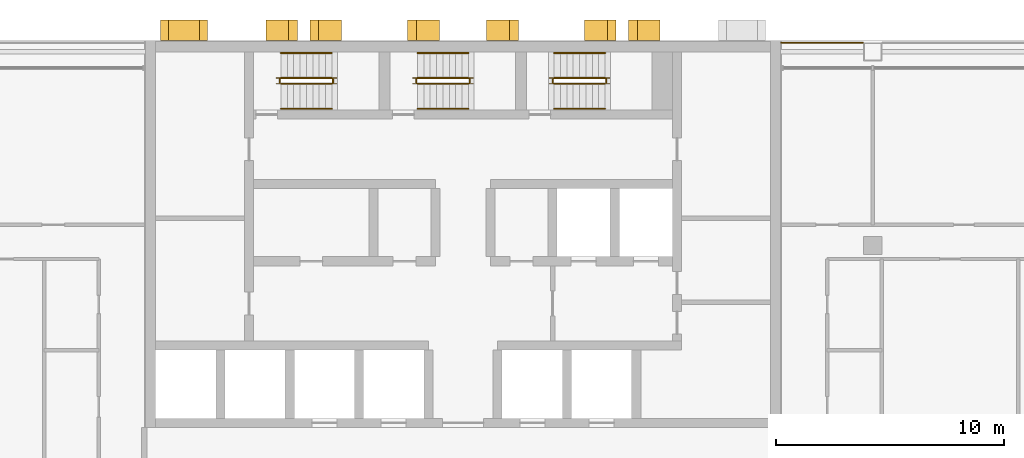
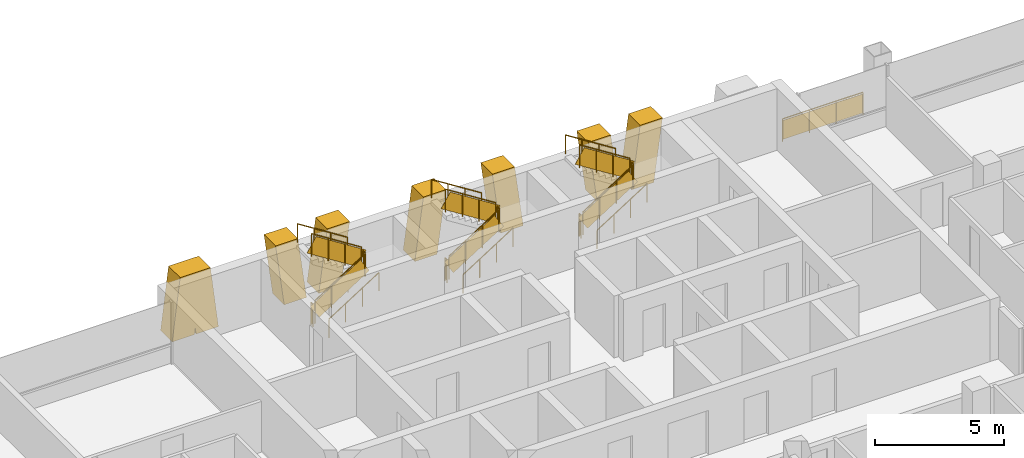
# One storey, part 17 of 18: 19 railings, 7 shading devices.
"""IFC4 building model written with IfcOpenShell, lengths in metres."""

from ifc_helpers import new_model, si_unit, direction, frame, origin, origin_2d, place, context, subcontext, project, spatial, polyline, rectangle, circle, outline, extrude, material, layer, layer_set, type_object, element, save


model = new_model("IFC4")

# Units and contexts
model_context = context("Model", 3, precision=1e-05, world=origin(), true_north=direction((0.0, 1.0)))
body_context = subcontext(model_context, "Body", "Model", "MODEL_VIEW")
ifc_project = project(units=[si_unit("LENGTHUNIT", "METRE"), si_unit("AREAUNIT", "SQUARE_METRE"), si_unit("VOLUMEUNIT", "CUBIC_METRE"), si_unit("PLANEANGLEUNIT", "RADIAN"), si_unit("MASSUNIT", "GRAM", prefix="KILO")], contexts=[model_context])

# Site, building, storey
site_placement = place(None, origin())
site = spatial("IfcSite", under=ifc_project, at=site_placement, CompositionType="ELEMENT")
building_placement = place(site_placement, origin())
building = spatial("IfcBuilding", under=site, at=building_placement, Name="Vidyagriha Tower", CompositionType="ELEMENT")
storey_placement = place(building_placement, frame((0.0, 0.0, 126.199951171875)))
storey = spatial("IfcBuildingStorey", under=building, at=storey_placement, Name="L32", CompositionType="ELEMENT", Elevation=126.199951171875)

# Shading devices
ifc_material_1 = material(Name="Precast concrete C40/50 with brick facing", Category="concrete")
ifc_layer_1 = layer(ifc_material_1, 1.0)
ifc_layer_set_1 = layer_set([ifc_layer_1], Name="Precast concrete C40/50 with brick facing")
shading_device_type_1 = type_object("IfcShadingDeviceType", Name="Brick-faced rear rib arm leaning 8 degrees", PredefinedType="USERDEFINED", material=ifc_layer_set_1)
shading_device_1_placement = place(storey_placement, frame((6.728515625, 20.449951171875, 0.0), z_axis=(0.0, 0.0, 1.0), x_axis=(-1.0, 0.0, 0.0)))
element("IfcShadingDevice", 1, at=shading_device_1_placement, inside=storey, type_object=shading_device_type_1, Name="Rear rib arm L32 R08.2a", ObjectType="BLADE FIN", PredefinedType="USERDEFINED", context=body_context, shape_type="SweptSolid", body=[
    extrude(outline(polyline([(0.0, 0.0), (1.0, 0.0), (1.3857421875, 2.920166015625), (0.3857421875, 2.920166015625), (0.0, 0.0)])), frame((0.0, 0.449951171875, 0.0), z_axis=(0.0, -1.0, 0.0), x_axis=(1.0, 0.0, 0.0)), (0.0, 0.0, 1.0), 0.89990234375),
])
shading_device_2_placement = place(storey_placement, frame((8.656982421875, 20.449951171875, 0.0), z_axis=(0.0, 0.0, 1.0), x_axis=(-1.0, 0.0, 0.0)))
element("IfcShadingDevice", 2, at=shading_device_2_placement, inside=storey, type_object=shading_device_type_1, Name="Rear rib arm L32 R08.2b", ObjectType="BLADE FIN", PredefinedType="USERDEFINED", context=body_context, shape_type="SweptSolid", body=[
    extrude(outline(polyline([(0.3857421875, 0.0), (1.3857421875, 0.0), (1.0, 2.920166015625), (0.0, 2.920166015625), (0.3857421875, 0.0)])), frame((0.0, 0.449951171875, 0.0), z_axis=(0.0, -1.0, 0.0), x_axis=(1.0, 0.0, 0.0)), (0.0, 0.0, 1.0), 0.89990234375),
])
shading_device_3_placement = place(storey_placement, frame((2.4287109375, 20.449951171875, 0.0), z_axis=(0.0, 0.0, 1.0), x_axis=(-1.0, 0.0, 0.0)))
element("IfcShadingDevice", 3, at=shading_device_3_placement, inside=storey, type_object=shading_device_type_1, Name="Rear rib arm L32 R08.3a", ObjectType="BLADE FIN", PredefinedType="USERDEFINED", context=body_context, shape_type="SweptSolid", body=[
    extrude(outline(polyline([(0.0, 0.0), (1.0, 0.0), (1.3857421875, 2.920166015625), (0.3857421875, 2.920166015625), (0.0, 0.0)])), frame((0.0, 0.449951171875, 0.0), z_axis=(0.0, -1.0, 0.0), x_axis=(1.0, 0.0, 0.0)), (0.0, 0.0, 1.0), 0.89990234375),
])
shading_device_4_placement = place(storey_placement, frame((-1.04296875, 20.449951171875, 0.0), z_axis=(0.0, 0.0, 1.0), x_axis=(-1.0, 0.0, 0.0)))
element("IfcShadingDevice", 4, at=shading_device_4_placement, inside=storey, type_object=shading_device_type_1, Name="Rear rib arm L32 R08.3b", ObjectType="BLADE FIN", PredefinedType="USERDEFINED", context=body_context, shape_type="SweptSolid", body=[
    extrude(outline(polyline([(0.3857421875, 0.0), (1.3857421875, 0.0), (1.0, 2.920166015625), (0.0, 2.920166015625), (0.3857421875, 0.0)])), frame((0.0, 0.449951171875, 0.0), z_axis=(0.0, -1.0, 0.0), x_axis=(1.0, 0.0, 0.0)), (0.0, 0.0, 1.0), 0.89990234375),
])
shading_device_5_placement = place(storey_placement, frame((-7.271484375, 20.449951171875, 0.0), z_axis=(0.0, 0.0, 1.0), x_axis=(-1.0, 0.0, 0.0)))
element("IfcShadingDevice", 5, at=shading_device_5_placement, inside=storey, type_object=shading_device_type_1, Name="Rear rib arm L32 R08.4a", ObjectType="BLADE FIN", PredefinedType="USERDEFINED", context=body_context, shape_type="SweptSolid", body=[
    extrude(outline(polyline([(0.0, 0.0), (1.0, 0.0), (1.3857421875, 2.920166015625), (0.3857421875, 2.920166015625), (0.0, 0.0)])), frame((0.0, 0.449951171875, 0.0), z_axis=(0.0, -1.0, 0.0), x_axis=(1.0, 0.0, 0.0)), (0.0, 0.0, 1.0), 0.89990234375),
])
shading_device_6_placement = place(storey_placement, frame((-5.343017578125, 20.449951171875, 0.0), z_axis=(0.0, 0.0, 1.0), x_axis=(-1.0, 0.0, 0.0)))
element("IfcShadingDevice", 6, at=shading_device_6_placement, inside=storey, type_object=shading_device_type_1, Name="Rear rib arm L32 R08.4b", ObjectType="BLADE FIN", PredefinedType="USERDEFINED", context=body_context, shape_type="SweptSolid", body=[
    extrude(outline(polyline([(0.3857421875, 0.0), (1.3857421875, 0.0), (1.0, 2.920166015625), (0.0, 2.920166015625), (0.3857421875, 0.0)])), frame((0.0, 0.449951171875, 0.0), z_axis=(0.0, -1.0, 0.0), x_axis=(1.0, 0.0, 0.0)), (0.0, 0.0, 1.0), 0.89990234375),
])
ifc_material_2 = material(Name="Precast concrete C40/50 with brick facing", Category="concrete")
ifc_layer_2 = layer(ifc_material_2, 1.0)
ifc_layer_set_2 = layer_set([ifc_layer_2], Name="Precast concrete C40/50 with brick facing")
shading_device_type_2 = type_object("IfcShadingDeviceType", Name="Brick-faced rear rib forking 8 degrees", PredefinedType="USERDEFINED", material=ifc_layer_set_2)
shading_device_7_placement = place(storey_placement, frame((-11.21435546875, 20.449951171875, 0.0), z_axis=(0.0, 0.0, 1.0), x_axis=(-1.0, 0.0, 0.0)))
element("IfcShadingDevice", 7, at=shading_device_7_placement, inside=storey, type_object=shading_device_type_2, Name="Rear rib fork L32 R08.5a", ObjectType="BLADE FIN", PredefinedType="USERDEFINED", context=body_context, shape_type="SweptSolid", body=[
    extrude(outline(polyline([(1.0, 0.0), (1.03564453125, 0.2919921875), (1.0712890625, 0.0), (2.0712890625, 0.0), (1.71435546875, 2.920166015625), (0.357177734375, 2.920166015625), (0.0, 0.0), (1.0, 0.0)])), frame((0.0, 0.449951171875, 0.0), z_axis=(0.0, -1.0, 0.0), x_axis=(1.0, 0.0, 0.0)), (0.0, 0.0, 1.0), 0.89990234375),
])

# Railings
ifc_material_3 = material(Name="Steel ASTM A500 Grade C black painted", Category="steel")
railing_type_1 = type_object("IfcRailingType", Name="Gallery guard 1100", PredefinedType="GUARDRAIL", material=ifc_material_3)
railing_1_placement = place(storey_placement, frame((13.97998046875, 19.89990234375, 0.0)))
element("IfcRailing", 8, at=railing_1_placement, inside=storey, type_object=railing_type_1, Name="Gallery guard L32 9", PredefinedType="GUARDRAIL", context=body_context, shape_type="SweptSolid", body=[
    extrude(circle(Radius=0.02490234375, at=origin_2d()), frame((0.0, 0.0, 1.0751953125), z_axis=(1.0, 0.0, 0.0), x_axis=(0.0, 1.0, 0.0)), (0.0, 0.0, 1.0), 3.590087890625),
    extrude(circle(Radius=0.02001953125, at=origin_2d()), origin(), (0.0, 0.0, 1.0), 1.050048828125),
    extrude(circle(Radius=0.02001953125, at=origin_2d()), frame((1.19677734375, 0.0, 0.0)), (0.0, 0.0, 1.0), 1.050048828125),
    extrude(circle(Radius=0.02001953125, at=origin_2d()), frame((2.393310546875, 0.0, 0.0)), (0.0, 0.0, 1.0), 1.050048828125),
    extrude(circle(Radius=0.02001953125, at=origin_2d()), frame((3.590087890625, 0.0, 0.0)), (0.0, 0.0, 1.0), 1.050048828125),
    extrude(rectangle(XDim=0.010009765625, YDim=0.900146484375, at=origin_2d()), frame((0.0, 0.0, 0.550048828125), z_axis=(1.0, 0.0, 0.0), x_axis=(0.0, 1.0, 0.0)), (0.0, 0.0, 1.0), 3.590087890625),
])
ifc_material_4 = material(Name="Steel ASTM A500 Grade C", Category="steel")
railing_type_2 = type_object("IfcRailingType", Name="Stair guard 1100 mm, steel balustrade", PredefinedType="GUARDRAIL", material=ifc_material_4)
railing_2_placement = place(storey_placement, frame((-8.0, 18.10009765625, 0.177734375)))
element("IfcRailing", 9, at=railing_2_placement, inside=storey, type_object=railing_type_2, Name="L32 ST1 stair guard 1", PredefinedType="GUARDRAIL", context=body_context, shape_type="SweptSolid", body=[
    extrude(circle(Radius=0.02392578125, at=origin_2d()), frame((0.0, 0.0, 1.076171875), z_axis=(0.84418770128, 0.0, 0.536047689118), x_axis=(0.0, 1.0, 0.0)), (0.0, 0.0, 1.0), 2.6533203125),
    extrude(circle(Radius=0.02099609375, at=origin_2d()), origin(), (0.0, 0.0, 1.0), 1.052001953125),
    extrude(circle(Radius=0.02099609375, at=origin_2d()), frame((0.74658203125, 0.0, 0.47412109375)), (0.0, 0.0, 1.0), 1.052001953125),
    extrude(circle(Radius=0.02099609375, at=origin_2d()), frame((1.493408203125, 0.0, 0.9482421875)), (0.0, 0.0, 1.0), 1.052001953125),
    extrude(circle(Radius=0.02099609375, at=origin_2d()), frame((2.239990234375, 0.0, 1.42236328125)), (0.0, 0.0, 1.0), 1.052001953125),
    extrude(rectangle(XDim=0.010009765625, YDim=0.761474609375, at=origin_2d()), frame((0.0, 0.0, 0.551025390625), z_axis=(0.84418770128, 0.0, 0.536047689118), x_axis=(0.0, 1.0, 0.0)), (0.0, 0.0, 1.0), 2.6533203125),
])
railing_3_placement = place(storey_placement, frame((-5.7099609375, 18.14990234375, 1.60009765625)))
element("IfcRailing", 10, at=railing_3_placement, inside=storey, type_object=railing_type_2, Name="L32 ST1 stair guard 2", PredefinedType="GUARDRAIL", context=body_context, shape_type="SweptSolid", body=[
    extrude(circle(Radius=0.02392578125, at=origin_2d()), frame((0.0, 0.0, 1.076171875), z_axis=(0.0, 1.0, 0.0), x_axis=(-1.0, 0.0, 0.0)), (0.0, 0.0, 1.0), 0.150146484375),
    extrude(circle(Radius=0.02099609375, at=origin_2d()), origin(), (0.0, 0.0, 1.0), 1.052001953125),
    extrude(circle(Radius=0.02099609375, at=origin_2d()), frame((0.0, 0.150146484375, 0.0)), (0.0, 0.0, 1.0), 1.052001953125),
    extrude(rectangle(XDim=0.010009765625, YDim=0.902099609375, at=origin_2d()), frame((0.0, 0.0, 0.551025390625), z_axis=(0.0, 1.0, 0.0), x_axis=(-1.0, 0.0, 0.0)), (0.0, 0.0, 1.0), 0.150146484375),
])
railing_4_placement = place(storey_placement, frame((-5.760009765625, 18.35009765625, 1.77783203125)))
element("IfcRailing", 11, at=railing_4_placement, inside=storey, type_object=railing_type_2, Name="L32 ST1 stair guard 3", PredefinedType="GUARDRAIL", context=body_context, shape_type="SweptSolid", body=[
    extrude(circle(Radius=0.02392578125, at=origin_2d()), frame((0.0, 0.0, 1.076171875), z_axis=(-0.8442293374, 0.0, 0.53598211339), x_axis=(0.0, -1.0, 0.0)), (0.0, 0.0, 1.0), 2.6533203125),
    extrude(circle(Radius=0.02099609375, at=origin_2d()), origin(), (0.0, 0.0, 1.0), 1.052001953125),
    extrude(circle(Radius=0.02099609375, at=origin_2d()), frame((-0.74658203125, 0.0, 0.47412109375)), (0.0, 0.0, 1.0), 1.052001953125),
    extrude(circle(Radius=0.02099609375, at=origin_2d()), frame((-1.493408203125, 0.0, 0.947998046875)), (0.0, 0.0, 1.0), 1.052001953125),
    extrude(circle(Radius=0.02099609375, at=origin_2d()), frame((-2.239990234375, 0.0, 1.422119140625)), (0.0, 0.0, 1.0), 1.052001953125),
    extrude(rectangle(XDim=0.010009765625, YDim=0.761474609375, at=origin_2d()), frame((0.0, 0.0, 0.551025390625), z_axis=(-0.8442293374, 0.0, 0.53598211339), x_axis=(0.0, -1.0, 0.0)), (0.0, 0.0, 1.0), 2.6533203125),
])
railing_5_placement = place(storey_placement, frame((-8.050048828125, 18.14990234375, 0.0)))
element("IfcRailing", 12, at=railing_5_placement, inside=storey, type_object=railing_type_2, Name="L32 ST1 stair guard 4", PredefinedType="GUARDRAIL", context=body_context, shape_type="SweptSolid", body=[
    extrude(circle(Radius=0.02392578125, at=origin_2d()), frame((0.0, 0.0, 1.076171875), z_axis=(0.0, 1.0, 0.0), x_axis=(-1.0, 0.0, 0.0)), (0.0, 0.0, 1.0), 0.150146484375),
    extrude(circle(Radius=0.02099609375, at=origin_2d()), origin(), (0.0, 0.0, 1.0), 1.052001953125),
    extrude(circle(Radius=0.02099609375, at=origin_2d()), frame((0.0, 0.150146484375, 0.0)), (0.0, 0.0, 1.0), 1.052001953125),
    extrude(rectangle(XDim=0.010009765625, YDim=0.902099609375, at=origin_2d()), frame((0.0, 0.0, 0.551025390625), z_axis=(0.0, 1.0, 0.0), x_axis=(-1.0, 0.0, 0.0)), (0.0, 0.0, 1.0), 0.150146484375),
])
railing_6_placement = place(storey_placement, frame((-2.0, 18.10009765625, 0.177734375)))
element("IfcRailing", 13, at=railing_6_placement, inside=storey, type_object=railing_type_2, Name="L32 ST2 stair guard 1", PredefinedType="GUARDRAIL", context=body_context, shape_type="SweptSolid", body=[
    extrude(circle(Radius=0.02392578125, at=origin_2d()), frame((0.0, 0.0, 1.076171875), z_axis=(0.84418770128, 0.0, 0.536047689118), x_axis=(0.0, 1.0, 0.0)), (0.0, 0.0, 1.0), 2.6533203125),
    extrude(circle(Radius=0.02099609375, at=origin_2d()), origin(), (0.0, 0.0, 1.0), 1.052001953125),
    extrude(circle(Radius=0.02099609375, at=origin_2d()), frame((0.74658203125, 0.0, 0.47412109375)), (0.0, 0.0, 1.0), 1.052001953125),
    extrude(circle(Radius=0.02099609375, at=origin_2d()), frame((1.493408203125, 0.0, 0.9482421875)), (0.0, 0.0, 1.0), 1.052001953125),
    extrude(circle(Radius=0.02099609375, at=origin_2d()), frame((2.239990234375, 0.0, 1.42236328125)), (0.0, 0.0, 1.0), 1.052001953125),
    extrude(rectangle(XDim=0.010009765625, YDim=0.761474609375, at=origin_2d()), frame((0.0, 0.0, 0.551025390625), z_axis=(0.84418770128, 0.0, 0.536047689118), x_axis=(0.0, 1.0, 0.0)), (0.0, 0.0, 1.0), 2.6533203125),
])
railing_7_placement = place(storey_placement, frame((0.2900390625, 18.14990234375, 1.60009765625)))
element("IfcRailing", 14, at=railing_7_placement, inside=storey, type_object=railing_type_2, Name="L32 ST2 stair guard 2", PredefinedType="GUARDRAIL", context=body_context, shape_type="SweptSolid", body=[
    extrude(circle(Radius=0.02392578125, at=origin_2d()), frame((0.0, 0.0, 1.076171875), z_axis=(0.0, 1.0, 0.0), x_axis=(-1.0, 0.0, 0.0)), (0.0, 0.0, 1.0), 0.150146484375),
    extrude(circle(Radius=0.02099609375, at=origin_2d()), origin(), (0.0, 0.0, 1.0), 1.052001953125),
    extrude(circle(Radius=0.02099609375, at=origin_2d()), frame((0.0, 0.150146484375, 0.0)), (0.0, 0.0, 1.0), 1.052001953125),
    extrude(rectangle(XDim=0.010009765625, YDim=0.902099609375, at=origin_2d()), frame((0.0, 0.0, 0.551025390625), z_axis=(0.0, 1.0, 0.0), x_axis=(-1.0, 0.0, 0.0)), (0.0, 0.0, 1.0), 0.150146484375),
])
railing_8_placement = place(storey_placement, frame((0.239990234375, 18.35009765625, 1.77783203125)))
element("IfcRailing", 15, at=railing_8_placement, inside=storey, type_object=railing_type_2, Name="L32 ST2 stair guard 3", PredefinedType="GUARDRAIL", context=body_context, shape_type="SweptSolid", body=[
    extrude(circle(Radius=0.02392578125, at=origin_2d()), frame((0.0, 0.0, 1.076171875), z_axis=(-0.8442293374, 0.0, 0.53598211339), x_axis=(0.0, -1.0, 0.0)), (0.0, 0.0, 1.0), 2.6533203125),
    extrude(circle(Radius=0.02099609375, at=origin_2d()), origin(), (0.0, 0.0, 1.0), 1.052001953125),
    extrude(circle(Radius=0.02099609375, at=origin_2d()), frame((-0.74658203125, 0.0, 0.47412109375)), (0.0, 0.0, 1.0), 1.052001953125),
    extrude(circle(Radius=0.02099609375, at=origin_2d()), frame((-1.493408203125, 0.0, 0.947998046875)), (0.0, 0.0, 1.0), 1.052001953125),
    extrude(circle(Radius=0.02099609375, at=origin_2d()), frame((-2.239990234375, 0.0, 1.422119140625)), (0.0, 0.0, 1.0), 1.052001953125),
    extrude(rectangle(XDim=0.010009765625, YDim=0.761474609375, at=origin_2d()), frame((0.0, 0.0, 0.551025390625), z_axis=(-0.8442293374, 0.0, 0.53598211339), x_axis=(0.0, -1.0, 0.0)), (0.0, 0.0, 1.0), 2.6533203125),
])
railing_9_placement = place(storey_placement, frame((-2.050048828125, 18.14990234375, 0.0)))
element("IfcRailing", 16, at=railing_9_placement, inside=storey, type_object=railing_type_2, Name="L32 ST2 stair guard 4", PredefinedType="GUARDRAIL", context=body_context, shape_type="SweptSolid", body=[
    extrude(circle(Radius=0.02392578125, at=origin_2d()), frame((0.0, 0.0, 1.076171875), z_axis=(0.0, 1.0, 0.0), x_axis=(-1.0, 0.0, 0.0)), (0.0, 0.0, 1.0), 0.150146484375),
    extrude(circle(Radius=0.02099609375, at=origin_2d()), origin(), (0.0, 0.0, 1.0), 1.052001953125),
    extrude(circle(Radius=0.02099609375, at=origin_2d()), frame((0.0, 0.150146484375, 0.0)), (0.0, 0.0, 1.0), 1.052001953125),
    extrude(rectangle(XDim=0.010009765625, YDim=0.902099609375, at=origin_2d()), frame((0.0, 0.0, 0.551025390625), z_axis=(0.0, 1.0, 0.0), x_axis=(-1.0, 0.0, 0.0)), (0.0, 0.0, 1.0), 0.150146484375),
])
railing_10_placement = place(storey_placement, frame((4.0, 18.10009765625, 0.177734375)))
element("IfcRailing", 17, at=railing_10_placement, inside=storey, type_object=railing_type_2, Name="L32 ST3 stair guard 1", PredefinedType="GUARDRAIL", context=body_context, shape_type="SweptSolid", body=[
    extrude(circle(Radius=0.02392578125, at=origin_2d()), frame((0.0, 0.0, 1.076171875), z_axis=(0.84418770128, 0.0, 0.536047689118), x_axis=(0.0, 1.0, 0.0)), (0.0, 0.0, 1.0), 2.6533203125),
    extrude(circle(Radius=0.02099609375, at=origin_2d()), origin(), (0.0, 0.0, 1.0), 1.052001953125),
    extrude(circle(Radius=0.02099609375, at=origin_2d()), frame((0.74658203125, 0.0, 0.47412109375)), (0.0, 0.0, 1.0), 1.052001953125),
    extrude(circle(Radius=0.02099609375, at=origin_2d()), frame((1.493408203125, 0.0, 0.9482421875)), (0.0, 0.0, 1.0), 1.052001953125),
    extrude(circle(Radius=0.02099609375, at=origin_2d()), frame((2.239990234375, 0.0, 1.42236328125)), (0.0, 0.0, 1.0), 1.052001953125),
    extrude(rectangle(XDim=0.010009765625, YDim=0.761474609375, at=origin_2d()), frame((0.0, 0.0, 0.551025390625), z_axis=(0.84418770128, 0.0, 0.536047689118), x_axis=(0.0, 1.0, 0.0)), (0.0, 0.0, 1.0), 2.6533203125),
])
railing_11_placement = place(storey_placement, frame((6.2900390625, 18.14990234375, 1.60009765625)))
element("IfcRailing", 18, at=railing_11_placement, inside=storey, type_object=railing_type_2, Name="L32 ST3 stair guard 2", PredefinedType="GUARDRAIL", context=body_context, shape_type="SweptSolid", body=[
    extrude(circle(Radius=0.02392578125, at=origin_2d()), frame((0.0, 0.0, 1.076171875), z_axis=(0.0, 1.0, 0.0), x_axis=(-1.0, 0.0, 0.0)), (0.0, 0.0, 1.0), 0.150146484375),
    extrude(circle(Radius=0.02099609375, at=origin_2d()), origin(), (0.0, 0.0, 1.0), 1.052001953125),
    extrude(circle(Radius=0.02099609375, at=origin_2d()), frame((0.0, 0.150146484375, 0.0)), (0.0, 0.0, 1.0), 1.052001953125),
    extrude(rectangle(XDim=0.010009765625, YDim=0.902099609375, at=origin_2d()), frame((0.0, 0.0, 0.551025390625), z_axis=(0.0, 1.0, 0.0), x_axis=(-1.0, 0.0, 0.0)), (0.0, 0.0, 1.0), 0.150146484375),
])
railing_12_placement = place(storey_placement, frame((6.239990234375, 18.35009765625, 1.77783203125)))
element("IfcRailing", 19, at=railing_12_placement, inside=storey, type_object=railing_type_2, Name="L32 ST3 stair guard 3", PredefinedType="GUARDRAIL", context=body_context, shape_type="SweptSolid", body=[
    extrude(circle(Radius=0.02392578125, at=origin_2d()), frame((0.0, 0.0, 1.076171875), z_axis=(-0.8442293374, 0.0, 0.53598211339), x_axis=(0.0, -1.0, 0.0)), (0.0, 0.0, 1.0), 2.6533203125),
    extrude(circle(Radius=0.02099609375, at=origin_2d()), origin(), (0.0, 0.0, 1.0), 1.052001953125),
    extrude(circle(Radius=0.02099609375, at=origin_2d()), frame((-0.74658203125, 0.0, 0.47412109375)), (0.0, 0.0, 1.0), 1.052001953125),
    extrude(circle(Radius=0.02099609375, at=origin_2d()), frame((-1.493408203125, 0.0, 0.947998046875)), (0.0, 0.0, 1.0), 1.052001953125),
    extrude(circle(Radius=0.02099609375, at=origin_2d()), frame((-2.239990234375, 0.0, 1.422119140625)), (0.0, 0.0, 1.0), 1.052001953125),
    extrude(rectangle(XDim=0.010009765625, YDim=0.761474609375, at=origin_2d()), frame((0.0, 0.0, 0.551025390625), z_axis=(-0.8442293374, 0.0, 0.53598211339), x_axis=(0.0, -1.0, 0.0)), (0.0, 0.0, 1.0), 2.6533203125),
])
railing_13_placement = place(storey_placement, frame((3.949951171875, 18.14990234375, 0.0)))
element("IfcRailing", 20, at=railing_13_placement, inside=storey, type_object=railing_type_2, Name="L32 ST3 stair guard 4", PredefinedType="GUARDRAIL", context=body_context, shape_type="SweptSolid", body=[
    extrude(circle(Radius=0.02392578125, at=origin_2d()), frame((0.0, 0.0, 1.076171875), z_axis=(0.0, 1.0, 0.0), x_axis=(-1.0, 0.0, 0.0)), (0.0, 0.0, 1.0), 0.150146484375),
    extrude(circle(Radius=0.02099609375, at=origin_2d()), origin(), (0.0, 0.0, 1.0), 1.052001953125),
    extrude(circle(Radius=0.02099609375, at=origin_2d()), frame((0.0, 0.150146484375, 0.0)), (0.0, 0.0, 1.0), 1.052001953125),
    extrude(rectangle(XDim=0.010009765625, YDim=0.902099609375, at=origin_2d()), frame((0.0, 0.0, 0.551025390625), z_axis=(0.0, 1.0, 0.0), x_axis=(-1.0, 0.0, 0.0)), (0.0, 0.0, 1.0), 0.150146484375),
])
ifc_material_5 = material(Name="Steel ASTM A500 Grade C", Category="steel")
railing_type_3 = type_object("IfcRailingType", Name="Stair handrail 900 mm, steel", PredefinedType="HANDRAIL", material=ifc_material_5)
railing_14_placement = place(storey_placement, frame((-8.0, 17.0, 0.177734375)))
element("IfcRailing", 21, at=railing_14_placement, inside=storey, type_object=railing_type_3, Name="L32 ST1 stair handrail 1", PredefinedType="HANDRAIL", context=body_context, shape_type="SweptSolid", body=[
    extrude(circle(Radius=0.02392578125, at=origin_2d()), frame((0.0, 0.0, 0.8759765625), z_axis=(0.84418770128, 0.0, 0.536047689118), x_axis=(0.0, 1.0, 0.0)), (0.0, 0.0, 1.0), 2.6533203125),
    extrude(circle(Radius=0.02099609375, at=origin_2d()), origin(), (0.0, 0.0, 1.0), 0.851806640625),
    extrude(circle(Radius=0.02099609375, at=origin_2d()), frame((0.74658203125, 0.0, 0.47412109375)), (0.0, 0.0, 1.0), 0.851806640625),
    extrude(circle(Radius=0.02099609375, at=origin_2d()), frame((1.493408203125, 0.0, 0.9482421875)), (0.0, 0.0, 1.0), 0.851806640625),
    extrude(circle(Radius=0.02099609375, at=origin_2d()), frame((2.239990234375, 0.0, 1.42236328125)), (0.0, 0.0, 1.0), 0.851806640625),
])
railing_15_placement = place(storey_placement, frame((-5.760009765625, 19.449951171875, 1.77783203125)))
element("IfcRailing", 22, at=railing_15_placement, inside=storey, type_object=railing_type_3, Name="L32 ST1 stair handrail 2", PredefinedType="HANDRAIL", context=body_context, shape_type="SweptSolid", body=[
    extrude(circle(Radius=0.02392578125, at=origin_2d()), frame((0.0, 0.0, 0.8759765625), z_axis=(-0.8442293374, 0.0, 0.53598211339), x_axis=(0.0, -1.0, 0.0)), (0.0, 0.0, 1.0), 2.6533203125),
    extrude(circle(Radius=0.02099609375, at=origin_2d()), origin(), (0.0, 0.0, 1.0), 0.851806640625),
    extrude(circle(Radius=0.02099609375, at=origin_2d()), frame((-0.74658203125, 0.0, 0.47412109375)), (0.0, 0.0, 1.0), 0.851806640625),
    extrude(circle(Radius=0.02099609375, at=origin_2d()), frame((-1.493408203125, 0.0, 0.947998046875)), (0.0, 0.0, 1.0), 0.851806640625),
    extrude(circle(Radius=0.02099609375, at=origin_2d()), frame((-2.239990234375, 0.0, 1.422119140625)), (0.0, 0.0, 1.0), 0.851806640625),
])
railing_16_placement = place(storey_placement, frame((-2.0, 17.0, 0.177734375)))
element("IfcRailing", 23, at=railing_16_placement, inside=storey, type_object=railing_type_3, Name="L32 ST2 stair handrail 1", PredefinedType="HANDRAIL", context=body_context, shape_type="SweptSolid", body=[
    extrude(circle(Radius=0.02392578125, at=origin_2d()), frame((0.0, 0.0, 0.8759765625), z_axis=(0.84418770128, 0.0, 0.536047689118), x_axis=(0.0, 1.0, 0.0)), (0.0, 0.0, 1.0), 2.6533203125),
    extrude(circle(Radius=0.02099609375, at=origin_2d()), origin(), (0.0, 0.0, 1.0), 0.851806640625),
    extrude(circle(Radius=0.02099609375, at=origin_2d()), frame((0.74658203125, 0.0, 0.47412109375)), (0.0, 0.0, 1.0), 0.851806640625),
    extrude(circle(Radius=0.02099609375, at=origin_2d()), frame((1.493408203125, 0.0, 0.9482421875)), (0.0, 0.0, 1.0), 0.851806640625),
    extrude(circle(Radius=0.02099609375, at=origin_2d()), frame((2.239990234375, 0.0, 1.42236328125)), (0.0, 0.0, 1.0), 0.851806640625),
])
railing_17_placement = place(storey_placement, frame((0.239990234375, 19.449951171875, 1.77783203125)))
element("IfcRailing", 24, at=railing_17_placement, inside=storey, type_object=railing_type_3, Name="L32 ST2 stair handrail 2", PredefinedType="HANDRAIL", context=body_context, shape_type="SweptSolid", body=[
    extrude(circle(Radius=0.02392578125, at=origin_2d()), frame((0.0, 0.0, 0.8759765625), z_axis=(-0.8442293374, 0.0, 0.53598211339), x_axis=(0.0, -1.0, 0.0)), (0.0, 0.0, 1.0), 2.6533203125),
    extrude(circle(Radius=0.02099609375, at=origin_2d()), origin(), (0.0, 0.0, 1.0), 0.851806640625),
    extrude(circle(Radius=0.02099609375, at=origin_2d()), frame((-0.74658203125, 0.0, 0.47412109375)), (0.0, 0.0, 1.0), 0.851806640625),
    extrude(circle(Radius=0.02099609375, at=origin_2d()), frame((-1.493408203125, 0.0, 0.947998046875)), (0.0, 0.0, 1.0), 0.851806640625),
    extrude(circle(Radius=0.02099609375, at=origin_2d()), frame((-2.239990234375, 0.0, 1.422119140625)), (0.0, 0.0, 1.0), 0.851806640625),
])
railing_18_placement = place(storey_placement, frame((4.0, 17.0, 0.177734375)))
element("IfcRailing", 25, at=railing_18_placement, inside=storey, type_object=railing_type_3, Name="L32 ST3 stair handrail 1", PredefinedType="HANDRAIL", context=body_context, shape_type="SweptSolid", body=[
    extrude(circle(Radius=0.02392578125, at=origin_2d()), frame((0.0, 0.0, 0.8759765625), z_axis=(0.84418770128, 0.0, 0.536047689118), x_axis=(0.0, 1.0, 0.0)), (0.0, 0.0, 1.0), 2.6533203125),
    extrude(circle(Radius=0.02099609375, at=origin_2d()), origin(), (0.0, 0.0, 1.0), 0.851806640625),
    extrude(circle(Radius=0.02099609375, at=origin_2d()), frame((0.74658203125, 0.0, 0.47412109375)), (0.0, 0.0, 1.0), 0.851806640625),
    extrude(circle(Radius=0.02099609375, at=origin_2d()), frame((1.493408203125, 0.0, 0.9482421875)), (0.0, 0.0, 1.0), 0.851806640625),
    extrude(circle(Radius=0.02099609375, at=origin_2d()), frame((2.239990234375, 0.0, 1.42236328125)), (0.0, 0.0, 1.0), 0.851806640625),
])
railing_19_placement = place(storey_placement, frame((6.239990234375, 19.449951171875, 1.77783203125)))
element("IfcRailing", 26, at=railing_19_placement, inside=storey, type_object=railing_type_3, Name="L32 ST3 stair handrail 2", PredefinedType="HANDRAIL", context=body_context, shape_type="SweptSolid", body=[
    extrude(circle(Radius=0.02392578125, at=origin_2d()), frame((0.0, 0.0, 0.8759765625), z_axis=(-0.8442293374, 0.0, 0.53598211339), x_axis=(0.0, -1.0, 0.0)), (0.0, 0.0, 1.0), 2.6533203125),
    extrude(circle(Radius=0.02099609375, at=origin_2d()), origin(), (0.0, 0.0, 1.0), 0.851806640625),
    extrude(circle(Radius=0.02099609375, at=origin_2d()), frame((-0.74658203125, 0.0, 0.47412109375)), (0.0, 0.0, 1.0), 0.851806640625),
    extrude(circle(Radius=0.02099609375, at=origin_2d()), frame((-1.493408203125, 0.0, 0.947998046875)), (0.0, 0.0, 1.0), 0.851806640625),
    extrude(circle(Radius=0.02099609375, at=origin_2d()), frame((-2.239990234375, 0.0, 1.422119140625)), (0.0, 0.0, 1.0), 0.851806640625),
])

save(model, "model.ifc")
